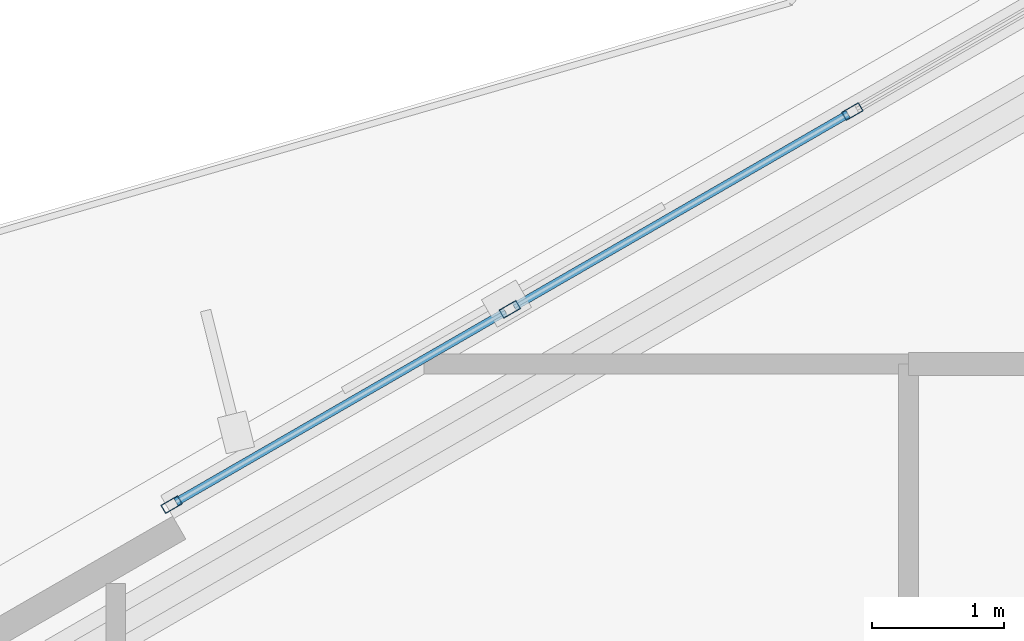
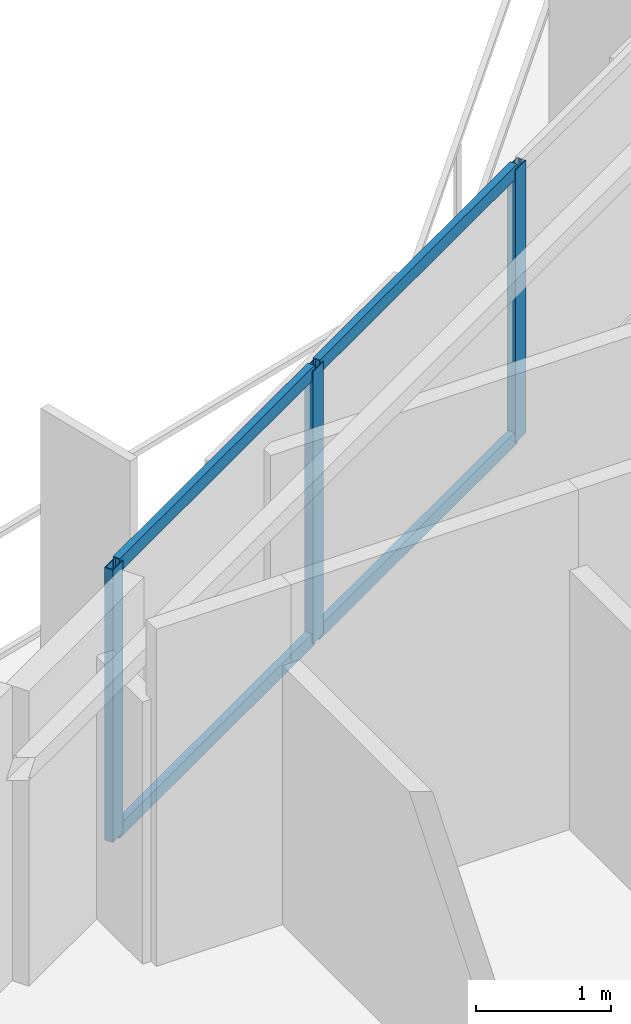
# One storey, part 7 of 19: 7 members, 1 element without a shape of its own.
"""IFC4 building model written with IfcOpenShell, lengths in metres."""

from ifc_helpers import new_model, si_unit, direction, frame, origin, origin_2d, place, context, subcontext, project, spatial, hollow_rectangle, extrude, material, layer, layer_set, material_profile, profile_set, type_object, element, aggregate, save


model = new_model("IFC4")

# Units and contexts
model_context = context("Model", 3, precision=1e-05, world=origin(), true_north=direction((0.0, 1.0)))
body_context = subcontext(model_context, "Body", "Model", "MODEL_VIEW")
ifc_project = project(units=[si_unit("LENGTHUNIT", "METRE"), si_unit("AREAUNIT", "SQUARE_METRE"), si_unit("VOLUMEUNIT", "CUBIC_METRE"), si_unit("PLANEANGLEUNIT", "RADIAN"), si_unit("MASSUNIT", "GRAM", prefix="KILO")], contexts=[model_context])

# Site, building, storey
site_placement = place(None, origin())
site = spatial("IfcSite", under=ifc_project, at=site_placement, CompositionType="ELEMENT")
building_placement = place(site_placement, origin())
building = spatial("IfcBuilding", under=site, at=building_placement, Name="Mersakhor Tower and Convention Hall", CompositionType="ELEMENT")
storey_placement = place(building_placement, frame((0.0, 0.0, 22.5)))
storey = spatial("IfcBuildingStorey", under=building, at=storey_placement, Name="L05", CompositionType="ELEMENT", Elevation=22.5)

# Curtain wall, members
ifc_material_1 = material(Name="Dark solar low-E aluminium curtain wall", Category="aluminium")
ifc_layer = layer(ifc_material_1, 0.159912109375)
ifc_layer_set = layer_set([ifc_layer], Name="Dark solar low-E aluminium curtain wall")
curtain_wall_type = type_object("IfcCurtainWallType", Name="CW-SYS-01", PredefinedType="USERDEFINED", material=ifc_layer_set)
curtain_wall_placement = place(storey_placement, origin())
curtain_wall = element("IfcCurtainWall", 1, at=curtain_wall_placement, inside=storey, type_object=curtain_wall_type, Name="L05 Dark-Glass Curtain Wall F1-B2", ObjectType="CURTAIN WALL", PredefinedType="USERDEFINED")
ifc_material_2 = material(Name="Anodised aluminium EN AW-6063 T6", Category="aluminium")
ifc_material_profile_1 = material_profile(ifc_material_2, hollow_rectangle(XDim=0.074951171875, YDim=0.14990234375, WallThickness=0.00634765625, at=origin_2d()), Name="RHS 150x75x6.3")
ifc_profile_set_1 = profile_set([ifc_material_profile_1], Name="Anodised aluminium EN AW-6063 T6")
member_type_1 = type_object("IfcMemberType", Name="CWM-150x75", PredefinedType="MULLION", material=ifc_profile_set_1)
member_1_placement = place(storey_placement, frame((16.423095703125, 36.635986328125, 0.199951171875), z_axis=(0.0, 0.0, 1.0), x_axis=(-0.50000344889, 0.866023412558, 0.0)))
member_1 = element("IfcMember", 2, at=member_1_placement, type_object=member_type_1, Name="CW-01 mullion 1", PredefinedType="MULLION", context=body_context, shape_type="SweptSolid", body=[
    extrude(hollow_rectangle(XDim=0.074951171875, YDim=0.14990234375, WallThickness=0.00634765625, at=origin_2d()), origin(), (0.0, 0.0, 1.0), 2.4599609375),
])
member_2_placement = place(storey_placement, frame((18.982666015625, 38.11376953125, 0.199951171875), z_axis=(0.0, 0.0, 1.0), x_axis=(-0.50000344889, 0.866023412558, 0.0)))
member_2 = element("IfcMember", 3, at=member_2_placement, type_object=member_type_1, Name="CW-01 mullion 2", PredefinedType="MULLION", context=body_context, shape_type="SweptSolid", body=[
    extrude(hollow_rectangle(XDim=0.074951171875, YDim=0.14990234375, WallThickness=0.00634765625, at=origin_2d()), origin(), (0.0, 0.0, 1.0), 2.4599609375),
])
member_3_placement = place(storey_placement, frame((21.574951171875, 39.610595703125, 0.199951171875), z_axis=(0.0, 0.0, 1.0), x_axis=(-0.50000344889, 0.866023412558, 0.0)))
member_3 = element("IfcMember", 4, at=member_3_placement, type_object=member_type_1, Name="CW-01 mullion 3", PredefinedType="MULLION", context=body_context, shape_type="SweptSolid", body=[
    extrude(hollow_rectangle(XDim=0.074951171875, YDim=0.14990234375, WallThickness=0.00634765625, at=origin_2d()), origin(), (0.0, 0.0, 1.0), 2.4599609375),
])
ifc_material_3 = material(Name="Anodised aluminium EN AW-6063 T6", Category="aluminium")
ifc_material_profile_2 = material_profile(ifc_material_3, hollow_rectangle(XDim=0.06005859375, YDim=0.1201171875, WallThickness=0.0048828125, at=origin_2d()), Name="RHS 120x60x5")
ifc_profile_set_2 = profile_set([ifc_material_profile_2], Name="Anodised aluminium EN AW-6063 T6")
member_type_2 = type_object("IfcMemberType", Name="CWT-120x60", PredefinedType="USERDEFINED", material=ifc_profile_set_2)
member_4_placement = place(storey_placement, frame((16.45556640625, 36.65478515625, 0.22998046875), z_axis=(0.866002100865, 0.500040359669, 0.0), x_axis=(-0.500040359669, 0.866002100865, 0.0)))
member_4 = element("IfcMember", 5, at=member_4_placement, type_object=member_type_2, Name="CW-01 transom 1.1", ObjectType="TRANSOM", PredefinedType="USERDEFINED", context=body_context, shape_type="SweptSolid", body=[
    extrude(hollow_rectangle(XDim=0.06005859375, YDim=0.1201171875, WallThickness=0.0048828125, at=origin_2d()), origin(), (0.0, 0.0, 1.0), 2.880615234375),
])
member_5_placement = place(storey_placement, frame((16.45556640625, 36.65478515625, 2.6298828125), z_axis=(0.866002100865, 0.500040359669, 0.0), x_axis=(-0.500040359669, 0.866002100865, 0.0)))
member_5 = element("IfcMember", 6, at=member_5_placement, type_object=member_type_2, Name="CW-01 transom 1.2", ObjectType="TRANSOM", PredefinedType="USERDEFINED", context=body_context, shape_type="SweptSolid", body=[
    extrude(hollow_rectangle(XDim=0.06005859375, YDim=0.1201171875, WallThickness=0.0048828125, at=origin_2d()), origin(), (0.0, 0.0, 1.0), 2.880615234375),
])
member_6_placement = place(storey_placement, frame((19.01513671875, 38.132568359375, 0.22998046875), z_axis=(0.866015622527, 0.500016941252, 0.0), x_axis=(-0.500016941252, 0.866015622527, 0.0)))
member_6 = element("IfcMember", 7, at=member_6_placement, type_object=member_type_2, Name="CW-01 transom 2.1", ObjectType="TRANSOM", PredefinedType="USERDEFINED", context=body_context, shape_type="SweptSolid", body=[
    extrude(hollow_rectangle(XDim=0.06005859375, YDim=0.1201171875, WallThickness=0.0048828125, at=origin_2d()), origin(), (0.0, 0.0, 1.0), 2.91845703125),
])
member_7_placement = place(storey_placement, frame((19.01513671875, 38.132568359375, 2.6298828125), z_axis=(0.866015622527, 0.500016941252, 0.0), x_axis=(-0.500016941252, 0.866015622527, 0.0)))
member_7 = element("IfcMember", 8, at=member_7_placement, type_object=member_type_2, Name="CW-01 transom 2.2", ObjectType="TRANSOM", PredefinedType="USERDEFINED", context=body_context, shape_type="SweptSolid", body=[
    extrude(hollow_rectangle(XDim=0.06005859375, YDim=0.1201171875, WallThickness=0.0048828125, at=origin_2d()), origin(), (0.0, 0.0, 1.0), 2.91845703125),
])
aggregate(curtain_wall, [member_1, member_2, member_3, member_4, member_5, member_6, member_7])

save(model, "model.ifc")
